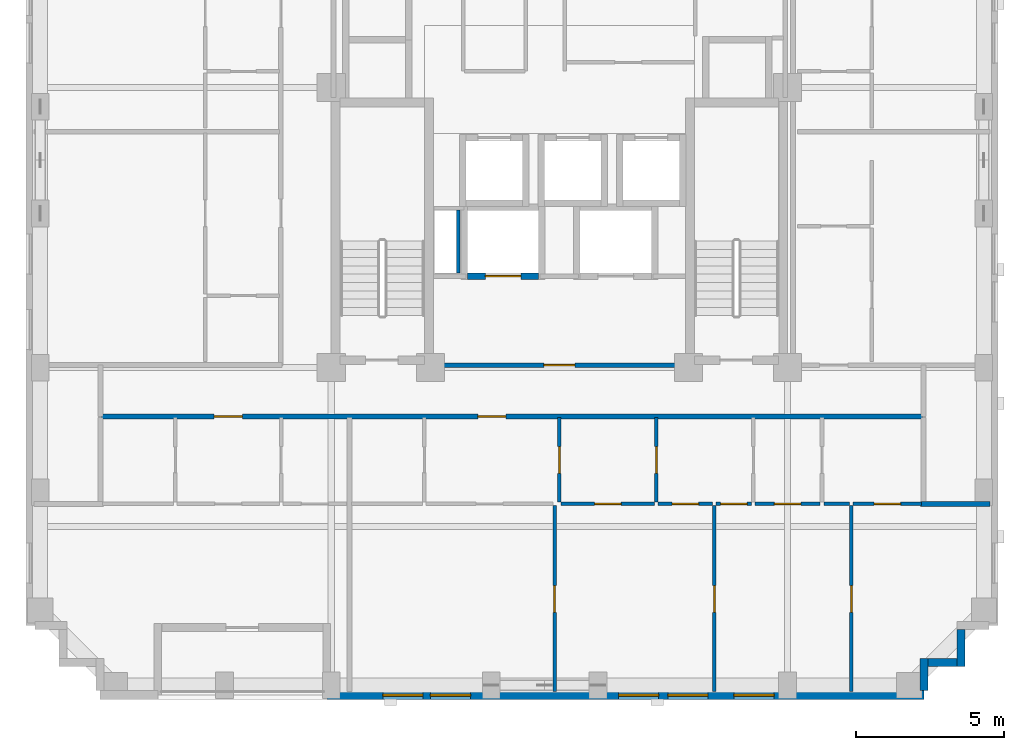
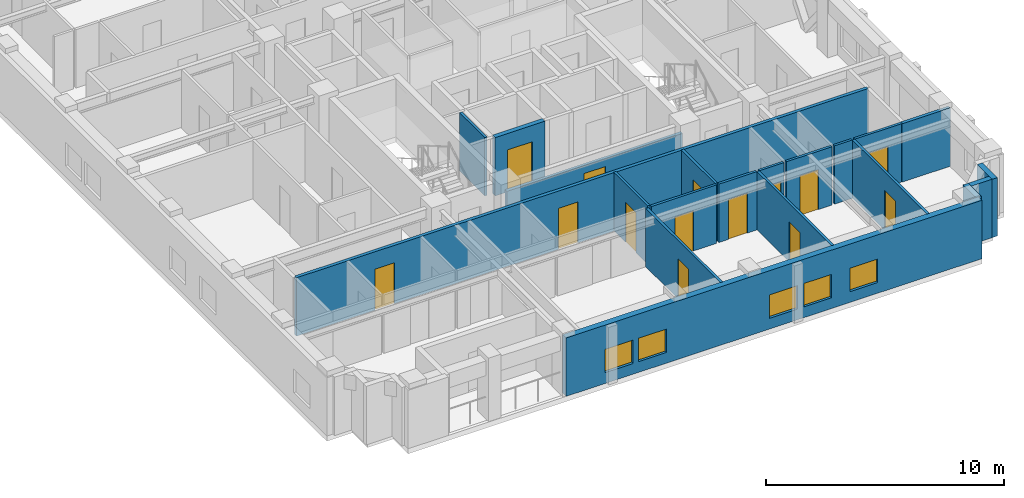
# One storey, part 3 of 11: 20 walls, 14 doors, 5 windows, 19 openings.
"""IFC4 building model written with IfcOpenShell, lengths in metres."""

from ifc_helpers import new_model, si_unit, derived_unit, direction, frame, frame_2d, origin, place, context, subcontext, project, spatial, rectangle, extrude, material, layer, layer_set, type_object, element, fill, save


model = new_model("IFC4")

# Units and contexts
model_context = context("Model", 3, precision=1e-05, world=origin(), true_north=direction((0.0, 1.0)))
body_context = subcontext(model_context, "Body", "Model", "MODEL_VIEW")
ifc_project = project(units=[si_unit("LENGTHUNIT", "METRE"), si_unit("AREAUNIT", "SQUARE_METRE"), si_unit("VOLUMEUNIT", "CUBIC_METRE"), si_unit("PLANEANGLEUNIT", "RADIAN"), si_unit("MASSUNIT", "GRAM", prefix="KILO"), derived_unit("THERMALTRANSMITTANCEUNIT", [(si_unit("MASSUNIT", "GRAM", prefix="KILO"), 1), (si_unit("TIMEUNIT", "SECOND"), -3), (si_unit("THERMODYNAMICTEMPERATUREUNIT", "KELVIN"), -1)])], contexts=[model_context])

# Site, building, storey
site_placement = place(None, origin())
site = spatial("IfcSite", under=ifc_project, at=site_placement, CompositionType="ELEMENT")
building_placement = place(site_placement, origin())
building = spatial("IfcBuilding", under=site, at=building_placement, Name="Korrvale Station Residences", CompositionType="ELEMENT")
storey_placement = place(building_placement, frame((0.0, 0.0, 163.39990234375)))
storey = spatial("IfcBuildingStorey", under=building, at=storey_placement, Name="L47", CompositionType="ELEMENT", Elevation=163.39990234375)

# Walls
ifc_material_1 = material(Name="Precast concrete C45/55", Category="concrete")
ifc_layer_1 = layer(ifc_material_1, 0.260009765625, Name="Precast concrete C45/55")
ifc_layer_set_1 = layer_set([ifc_layer_1], Name="Precast concrete C45/55")
wall_type_1 = type_object("IfcWallType", Name="WAL-EXT-LOG260", PredefinedType="SOLIDWALL", material=ifc_layer_set_1)
wall_1_placement = place(storey_placement, frame((39.050048828125, 6.16796875, 0.0), z_axis=(0.0, 0.0, 1.0), x_axis=(0.0, -1.0, 0.0)))
element("IfcWall", 1, at=wall_1_placement, inside=storey, type_object=wall_type_1, Name="L47 Serrated Corner Precast Step SE-2", PredefinedType="SOLIDWALL", context=body_context, shape_type="SweptSolid", body=[
    extrude(rectangle(XDim=1.248046875, YDim=0.260009765625, at=frame_2d((0.6240234375, 0.0))), origin(), (0.0, 0.0, 1.0), 2.989990234375),
])
wall_2_placement = place(storey_placement, frame((38.91796875, 5.050048828125, 0.0), z_axis=(0.0, 0.0, 1.0), x_axis=(-1.0, 0.0, 0.0)))
element("IfcWall", 2, at=wall_2_placement, inside=storey, type_object=wall_type_1, Name="L47 Serrated Corner Precast Step SE-3", PredefinedType="SOLIDWALL", context=body_context, shape_type="SweptSolid", body=[
    extrude(rectangle(XDim=0.986083984375, YDim=0.260009765625, at=frame_2d((0.4931640625, 0.0))), origin(), (0.0, 0.0, 1.0), 2.989990234375),
])
wall_3_placement = place(storey_placement, frame((37.800048828125, 5.179931640625, 0.0), z_axis=(0.0, 0.0, 1.0), x_axis=(0.0, -1.0, 0.0)))
element("IfcWall", 3, at=wall_3_placement, inside=storey, type_object=wall_type_1, Name="L47 Serrated Corner Precast Step SE-4", PredefinedType="SOLIDWALL", context=body_context, shape_type="SweptSolid", body=[
    extrude(rectangle(XDim=1.077880859375, YDim=0.260009765625, at=frame_2d((0.5390625, 0.0))), origin(), (0.0, 0.0, 1.0), 2.989990234375),
])

# Wall, openings, windows
ifc_layer_2 = layer(ifc_material_1, 0.300048828125, Name="Precast concrete C45/55")
ifc_layer_set_2 = layer_set([ifc_layer_2], Name="Precast concrete C45/55")
wall_type_2 = type_object("IfcWallType", Name="WAL-EXT-PC300", PredefinedType="SOLIDWALL", material=ifc_layer_set_2)
wall_4_placement = place(storey_placement, frame((37.800048828125, 3.949951171875, 0.0), z_axis=(0.0, 0.0, 1.0), x_axis=(-1.0, 0.0, 0.0)))
wall_4 = element("IfcWall", 4, at=wall_4_placement, inside=storey, type_object=wall_type_2, Name="L47 South Exterior Precast Wall 1", PredefinedType="SOLIDWALL", context=body_context, shape_type="SweptSolid", body=[
    extrude(rectangle(XDim=20.150146484375, YDim=0.300048828125, at=frame_2d((10.0751953125, 0.0))), origin(), (0.0, 0.0, 1.0), 2.989990234375),
])
opening_1_placement = place(wall_4_placement, frame((15.300048828125, 0.0, 0.550048828125)))
opening_1 = element("IfcOpeningElement", 5, at=opening_1_placement, cuts=wall_4, Name="Opening W-10", PredefinedType="OPENING", context=body_context, shape_type="SweptSolid", body=[
    extrude(rectangle(XDim=1.35009765625, YDim=1.199951171875, at=frame_2d((0.675048828125, 0.60009765625))), frame((0.0, 0.16015625, 0.0), z_axis=(0.0, -1.0, 0.0), x_axis=(1.0, 0.0, 0.0)), (0.0, 0.0, 1.0), 0.320068359375),
])
opening_2_placement = place(wall_4_placement, frame((16.909912109375, 0.0, 0.550048828125)))
opening_2 = element("IfcOpeningElement", 6, at=opening_2_placement, cuts=wall_4, Name="Opening W-10", PredefinedType="OPENING", context=body_context, shape_type="SweptSolid", body=[
    extrude(rectangle(XDim=1.35009765625, YDim=1.199951171875, at=frame_2d((0.675048828125, 0.60009765625))), frame((0.0, 0.16015625, 0.0), z_axis=(0.0, -1.0, 0.0), x_axis=(1.0, 0.0, 0.0)), (0.0, 0.0, 1.0), 0.320068359375),
])
opening_3_placement = place(wall_4_placement, frame((8.949951171875, 0.0, 0.550048828125)))
opening_3 = element("IfcOpeningElement", 7, at=opening_3_placement, cuts=wall_4, Name="Opening W-10", PredefinedType="OPENING", context=body_context, shape_type="SweptSolid", body=[
    extrude(rectangle(XDim=1.35009765625, YDim=1.199951171875, at=frame_2d((0.675048828125, 0.60009765625))), frame((0.0, 0.16015625, 0.0), z_axis=(0.0, -1.0, 0.0), x_axis=(1.0, 0.0, 0.0)), (0.0, 0.0, 1.0), 0.320068359375),
])
opening_4_placement = place(wall_4_placement, frame((7.2900390625, 0.0, 0.550048828125)))
opening_4 = element("IfcOpeningElement", 8, at=opening_4_placement, cuts=wall_4, Name="Opening W-10", PredefinedType="OPENING", context=body_context, shape_type="SweptSolid", body=[
    extrude(rectangle(XDim=1.35009765625, YDim=1.199951171875, at=frame_2d((0.675048828125, 0.60009765625))), frame((0.0, 0.16015625, 0.0), z_axis=(0.0, -1.0, 0.0), x_axis=(1.0, 0.0, 0.0)), (0.0, 0.0, 1.0), 0.320068359375),
])
opening_5_placement = place(wall_4_placement, frame((5.06005859375, 0.0, 0.550048828125)))
opening_5 = element("IfcOpeningElement", 9, at=opening_5_placement, cuts=wall_4, Name="Opening W-10", PredefinedType="OPENING", context=body_context, shape_type="SweptSolid", body=[
    extrude(rectangle(XDim=1.35009765625, YDim=1.199951171875, at=frame_2d((0.675048828125, 0.60009765625))), frame((0.0, 0.16015625, 0.0), z_axis=(0.0, -1.0, 0.0), x_axis=(1.0, 0.0, 0.0)), (0.0, 0.0, 1.0), 0.320068359375),
])
ifc_material_2 = material(Name="Thermally broken aluminium frame with triple low-e glazing", Category="aluminium")
window_type = type_object("IfcWindowType", Name="WIN-W10", PartitioningType="SINGLE_PANEL", PredefinedType="WINDOW", material=ifc_material_2)
window_1_placement = place(opening_1_placement, origin())
window_1 = element("IfcWindow", 10, at=window_1_placement, inside=storey, type_object=window_type, Name="L47 Punched Window 02", OverallHeight=1.199951171875, OverallWidth=1.35009765625, PartitioningType="SINGLE_PANEL", PredefinedType="WINDOW", context=body_context, shape_type="SweptSolid", body=[
    extrude(rectangle(XDim=1.35009765625, YDim=1.199951171875, at=frame_2d((0.675048828125, 0.60009765625))), frame((0.0, 0.030029296875, 0.0), z_axis=(0.0, -1.0, 0.0), x_axis=(1.0, 0.0, 0.0)), (0.0, 0.0, 1.0), 0.06005859375),
])
fill(opening_1, window_1)
window_2_placement = place(opening_2_placement, origin())
window_2 = element("IfcWindow", 11, at=window_2_placement, inside=storey, type_object=window_type, Name="L47 Punched Window 03", OverallHeight=1.199951171875, OverallWidth=1.35009765625, PartitioningType="SINGLE_PANEL", PredefinedType="WINDOW", context=body_context, shape_type="SweptSolid", body=[
    extrude(rectangle(XDim=1.35009765625, YDim=1.199951171875, at=frame_2d((0.675048828125, 0.60009765625))), frame((0.0, 0.030029296875, 0.0), z_axis=(0.0, -1.0, 0.0), x_axis=(1.0, 0.0, 0.0)), (0.0, 0.0, 1.0), 0.06005859375),
])
fill(opening_2, window_2)
window_3_placement = place(opening_3_placement, origin())
window_3 = element("IfcWindow", 12, at=window_3_placement, inside=storey, type_object=window_type, Name="L47 Punched Window 04", OverallHeight=1.199951171875, OverallWidth=1.35009765625, PartitioningType="SINGLE_PANEL", PredefinedType="WINDOW", context=body_context, shape_type="SweptSolid", body=[
    extrude(rectangle(XDim=1.35009765625, YDim=1.199951171875, at=frame_2d((0.675048828125, 0.60009765625))), frame((0.0, 0.030029296875, 0.0), z_axis=(0.0, -1.0, 0.0), x_axis=(1.0, 0.0, 0.0)), (0.0, 0.0, 1.0), 0.06005859375),
])
fill(opening_3, window_3)
window_4_placement = place(opening_4_placement, origin())
window_4 = element("IfcWindow", 13, at=window_4_placement, inside=storey, type_object=window_type, Name="L47 Punched Window 05", OverallHeight=1.199951171875, OverallWidth=1.35009765625, PartitioningType="SINGLE_PANEL", PredefinedType="WINDOW", context=body_context, shape_type="SweptSolid", body=[
    extrude(rectangle(XDim=1.35009765625, YDim=1.199951171875, at=frame_2d((0.675048828125, 0.60009765625))), frame((0.0, 0.030029296875, 0.0), z_axis=(0.0, -1.0, 0.0), x_axis=(1.0, 0.0, 0.0)), (0.0, 0.0, 1.0), 0.06005859375),
])
fill(opening_4, window_4)
window_5_placement = place(opening_5_placement, origin())
window_5 = element("IfcWindow", 14, at=window_5_placement, inside=storey, type_object=window_type, Name="L47 Punched Window 06", OverallHeight=1.199951171875, OverallWidth=1.35009765625, PartitioningType="SINGLE_PANEL", PredefinedType="WINDOW", context=body_context, shape_type="SweptSolid", body=[
    extrude(rectangle(XDim=1.35009765625, YDim=1.199951171875, at=frame_2d((0.675048828125, 0.60009765625))), frame((0.0, 0.030029296875, 0.0), z_axis=(0.0, -1.0, 0.0), x_axis=(1.0, 0.0, 0.0)), (0.0, 0.0, 1.0), 0.06005859375),
])
fill(opening_5, window_5)

# Wall
ifc_material_3 = material(Name="Acoustic steel-stud gypsum board partition", Category="steel")
ifc_layer_3 = layer(ifc_material_3, 0.1201171875, Name="Acoustic steel-stud gypsum board partition")
ifc_layer_set_3 = layer_set([ifc_layer_3], Name="Acoustic steel-stud gypsum board partition")
wall_type_3 = type_object("IfcWallType", Name="WAL-PART-125", PredefinedType="PARTITIONING", material=ifc_layer_set_3)
wall_5_placement = place(storey_placement, frame((22.080078125, 18.199951171875, 0.0), z_axis=(0.0, 0.0, 1.0), x_axis=(0.0, 1.0, 0.0)))
element("IfcWall", 15, at=wall_5_placement, inside=storey, type_object=wall_type_3, Name="L47 Core Partition CW-RSWT", PredefinedType="PARTITIONING", context=body_context, shape_type="SweptSolid", body=[
    extrude(rectangle(XDim=2.1201171875, YDim=0.1201171875, at=frame_2d((1.06005859375, 0.0))), origin(), (0.0, 0.0, 1.0), 2.989990234375),
])

# Wall, opening, door
wall_6_placement = place(storey_placement, frame((25.5, 10.4599609375, 0.0), z_axis=(0.0, 0.0, 1.0), x_axis=(0.0, 1.0, 0.0)))
wall_6 = element("IfcWall", 16, at=wall_6_placement, inside=storey, type_object=wall_type_3, Name="L47 Suite Partition U02-V12", PredefinedType="PARTITIONING", context=body_context, shape_type="SweptSolid", body=[
    extrude(rectangle(XDim=2.85009765625, YDim=0.1201171875, at=frame_2d((1.425048828125, 0.0))), origin(), (0.0, 0.0, 1.0), 2.989990234375),
])
opening_6_placement = place(wall_6_placement, frame((0.97509765625, 0.0, 0.0)))
opening_6 = element("IfcOpeningElement", 17, at=opening_6_placement, cuts=wall_6, Name="Opening DI-900", PredefinedType="OPENING", context=body_context, shape_type="SweptSolid", body=[
    extrude(rectangle(XDim=0.89990234375, YDim=2.050048828125, at=frame_2d((0.449951171875, 1.02490234375))), frame((0.0, 0.070068359375, 0.0), z_axis=(0.0, -1.0, 0.0), x_axis=(1.0, 0.0, 0.0)), (0.0, 0.0, 1.0), 0.14013671875),
])
ifc_material_4 = material(Name="Painted solid-core timber interior room door", Category="wood")
door_type_1 = type_object("IfcDoorType", Name="DR-INT-900", OperationType="NOTDEFINED", PredefinedType="DOOR", material=ifc_material_4)
door_1_placement = place(opening_6_placement, origin())
door_1 = element("IfcDoor", 18, at=door_1_placement, inside=storey, type_object=door_type_1, Name="L47 Apartment 2BR L47-U02 Kitchen Door", OperationType="SINGLE_SWING_LEFT", OverallHeight=2.050048828125, OverallWidth=0.89990234375, PredefinedType="DOOR", context=body_context, shape_type="SweptSolid", body=[
    extrude(rectangle(XDim=0.89990234375, YDim=2.050048828125, at=frame_2d((0.449951171875, 1.02490234375))), frame((0.0, 0.02490234375, 0.0), z_axis=(0.0, -1.0, 0.0), x_axis=(1.0, 0.0, 0.0)), (0.0, 0.0, 1.0), 0.050048828125),
])
fill(opening_6, door_1)

wall_7_placement = place(storey_placement, frame((28.77001953125, 10.4599609375, 0.0), z_axis=(0.0, 0.0, 1.0), x_axis=(0.0, 1.0, 0.0)))
wall_7 = element("IfcWall", 19, at=wall_7_placement, inside=storey, type_object=wall_type_3, Name="L47 Suite Partition U02-V23", PredefinedType="PARTITIONING", context=body_context, shape_type="SweptSolid", body=[
    extrude(rectangle(XDim=2.85009765625, YDim=0.1201171875, at=frame_2d((1.425048828125, 0.0))), origin(), (0.0, 0.0, 1.0), 2.989990234375),
])
opening_7_placement = place(wall_7_placement, frame((0.97509765625, 0.0, 0.0)))
opening_7 = element("IfcOpeningElement", 20, at=opening_7_placement, cuts=wall_7, Name="Opening DI-900", PredefinedType="OPENING", context=body_context, shape_type="SweptSolid", body=[
    extrude(rectangle(XDim=0.89990234375, YDim=2.050048828125, at=frame_2d((0.449951171875, 1.02490234375))), frame((0.0, 0.070068359375, 0.0), z_axis=(0.0, -1.0, 0.0), x_axis=(1.0, 0.0, 0.0)), (0.0, 0.0, 1.0), 0.14013671875),
])
door_2_placement = place(opening_7_placement, origin())
door_2 = element("IfcDoor", 21, at=door_2_placement, inside=storey, type_object=door_type_1, Name="L47 Apartment 2BR L47-U02 Home Study Room Door", OperationType="SINGLE_SWING_LEFT", OverallHeight=2.050048828125, OverallWidth=0.89990234375, PredefinedType="DOOR", context=body_context, shape_type="SweptSolid", body=[
    extrude(rectangle(XDim=0.89990234375, YDim=2.050048828125, at=frame_2d((0.449951171875, 1.02490234375))), frame((0.0, 0.02490234375, 0.0), z_axis=(0.0, -1.0, 0.0), x_axis=(1.0, 0.0, 0.0)), (0.0, 0.0, 1.0), 0.050048828125),
])
fill(opening_7, door_2)

wall_8_placement = place(storey_placement, frame((25.56005859375, 10.39990234375, 0.0), z_axis=(0.0, 0.0, 1.0), x_axis=(1.0, 0.0, 0.0)))
wall_8 = element("IfcWall", 22, at=wall_8_placement, inside=storey, type_object=wall_type_3, Name="L47 Suite Partition U02-H27", PredefinedType="PARTITIONING", context=body_context, shape_type="SweptSolid", body=[
    extrude(rectangle(XDim=3.14990234375, YDim=0.1201171875, at=frame_2d((1.574951171875, 0.0))), origin(), (0.0, 0.0, 1.0), 2.989990234375),
])
opening_8_placement = place(wall_8_placement, frame((1.125, 0.0, 0.0)))
opening_8 = element("IfcOpeningElement", 23, at=opening_8_placement, cuts=wall_8, Name="Opening DI-900", PredefinedType="OPENING", context=body_context, shape_type="SweptSolid", body=[
    extrude(rectangle(XDim=0.89990234375, YDim=2.050048828125, at=frame_2d((0.449951171875, 1.02490234375))), frame((0.0, 0.070068359375, 0.0), z_axis=(0.0, -1.0, 0.0), x_axis=(1.0, 0.0, 0.0)), (0.0, 0.0, 1.0), 0.14013671875),
])
door_3_placement = place(opening_8_placement, origin())
door_3 = element("IfcDoor", 24, at=door_3_placement, inside=storey, type_object=door_type_1, Name="L47 Apartment 2BR L47-U02 Home Study Room Door", OperationType="SINGLE_SWING_RIGHT", OverallHeight=2.050048828125, OverallWidth=0.89990234375, PredefinedType="DOOR", context=body_context, shape_type="SweptSolid", body=[
    extrude(rectangle(XDim=0.89990234375, YDim=2.050048828125, at=frame_2d((0.449951171875, 1.02490234375))), frame((0.0, 0.02490234375, 0.0), z_axis=(0.0, -1.0, 0.0), x_axis=(1.0, 0.0, 0.0)), (0.0, 0.0, 1.0), 0.050048828125),
])
fill(opening_8, door_3)

wall_9_placement = place(storey_placement, frame((28.830078125, 10.39990234375, 0.0), z_axis=(0.0, 0.0, 1.0), x_axis=(1.0, 0.0, 0.0)))
wall_9 = element("IfcWall", 25, at=wall_9_placement, inside=storey, type_object=wall_type_3, Name="L47 Suite Partition U02-H37", PredefinedType="PARTITIONING", context=body_context, shape_type="SweptSolid", body=[
    extrude(rectangle(XDim=1.83984375, YDim=0.1201171875, at=frame_2d((0.919921875, 0.0))), origin(), (0.0, 0.0, 1.0), 2.989990234375),
])
opening_9_placement = place(wall_9_placement, frame((0.469970703125, 0.0, 0.0)))
opening_9 = element("IfcOpeningElement", 26, at=opening_9_placement, cuts=wall_9, Name="Opening DI-900", PredefinedType="OPENING", context=body_context, shape_type="SweptSolid", body=[
    extrude(rectangle(XDim=0.89990234375, YDim=2.050048828125, at=frame_2d((0.449951171875, 1.02490234375))), frame((0.0, 0.070068359375, 0.0), z_axis=(0.0, -1.0, 0.0), x_axis=(1.0, 0.0, 0.0)), (0.0, 0.0, 1.0), 0.14013671875),
])
door_4_placement = place(opening_9_placement, origin())
door_4 = element("IfcDoor", 27, at=door_4_placement, inside=storey, type_object=door_type_1, Name="L47 Apartment 2BR L47-U02 Home Study Room Door", OperationType="SINGLE_SWING_RIGHT", OverallHeight=2.050048828125, OverallWidth=0.89990234375, PredefinedType="DOOR", context=body_context, shape_type="SweptSolid", body=[
    extrude(rectangle(XDim=0.89990234375, YDim=2.050048828125, at=frame_2d((0.449951171875, 1.02490234375))), frame((0.0, 0.02490234375, 0.0), z_axis=(0.0, -1.0, 0.0), x_axis=(1.0, 0.0, 0.0)), (0.0, 0.0, 1.0), 0.050048828125),
])
fill(opening_9, door_4)

wall_10_placement = place(storey_placement, frame((30.7900390625, 10.39990234375, 0.0), z_axis=(0.0, 0.0, 1.0), x_axis=(1.0, 0.0, 0.0)))
wall_10 = element("IfcWall", 28, at=wall_10_placement, inside=storey, type_object=wall_type_3, Name="L47 Suite Partition U02-H38", PredefinedType="PARTITIONING", context=body_context, shape_type="SweptSolid", body=[
    extrude(rectangle(XDim=1.18994140625, YDim=0.1201171875, at=frame_2d((0.594970703125, 0.0))), origin(), (0.0, 0.0, 1.0), 2.989990234375),
])
opening_10_placement = place(wall_10_placement, frame((0.14501953125, 0.0, 0.0)))
opening_10 = element("IfcOpeningElement", 29, at=opening_10_placement, cuts=wall_10, Name="Opening DI-900", PredefinedType="OPENING", context=body_context, shape_type="SweptSolid", body=[
    extrude(rectangle(XDim=0.89990234375, YDim=2.050048828125, at=frame_2d((0.449951171875, 1.02490234375))), frame((0.0, 0.070068359375, 0.0), z_axis=(0.0, -1.0, 0.0), x_axis=(1.0, 0.0, 0.0)), (0.0, 0.0, 1.0), 0.14013671875),
])
door_5_placement = place(opening_10_placement, origin())
door_5 = element("IfcDoor", 30, at=door_5_placement, inside=storey, type_object=door_type_1, Name="L47 Apartment 2BR L47-U02 Home Study Room Door", OperationType="SINGLE_SWING_LEFT", OverallHeight=2.050048828125, OverallWidth=0.89990234375, PredefinedType="DOOR", context=body_context, shape_type="SweptSolid", body=[
    extrude(rectangle(XDim=0.89990234375, YDim=2.050048828125, at=frame_2d((0.449951171875, 1.02490234375))), frame((0.0, 0.02490234375, 0.0), z_axis=(0.0, -1.0, 0.0), x_axis=(1.0, 0.0, 0.0)), (0.0, 0.0, 1.0), 0.050048828125),
])
fill(opening_10, door_5)

wall_11_placement = place(storey_placement, frame((32.10009765625, 10.39990234375, 0.0), z_axis=(0.0, 0.0, 1.0), x_axis=(1.0, 0.0, 0.0)))
wall_11 = element("IfcWall", 31, at=wall_11_placement, inside=storey, type_object=wall_type_3, Name="L47 Suite Partition U02-H48", PredefinedType="PARTITIONING", context=body_context, shape_type="SweptSolid", body=[
    extrude(rectangle(XDim=2.199951171875, YDim=0.1201171875, at=frame_2d((1.10009765625, 0.0))), origin(), (0.0, 0.0, 1.0), 2.989990234375),
])
opening_11_placement = place(wall_11_placement, frame((0.64990234375, 0.0, 0.0)))
opening_11 = element("IfcOpeningElement", 32, at=opening_11_placement, cuts=wall_11, Name="Opening DI-900", PredefinedType="OPENING", context=body_context, shape_type="SweptSolid", body=[
    extrude(rectangle(XDim=0.89990234375, YDim=2.050048828125, at=frame_2d((0.449951171875, 1.02490234375))), frame((0.0, 0.070068359375, 0.0), z_axis=(0.0, -1.0, 0.0), x_axis=(1.0, 0.0, 0.0)), (0.0, 0.0, 1.0), 0.14013671875),
])
door_6_placement = place(opening_11_placement, origin())
door_6 = element("IfcDoor", 33, at=door_6_placement, inside=storey, type_object=door_type_1, Name="L47 Apartment 2BR L47-U02 Wardrobe Storage Room Door", OperationType="SINGLE_SWING_LEFT", OverallHeight=2.050048828125, OverallWidth=0.89990234375, PredefinedType="DOOR", context=body_context, shape_type="SweptSolid", body=[
    extrude(rectangle(XDim=0.89990234375, YDim=2.050048828125, at=frame_2d((0.449951171875, 1.02490234375))), frame((0.0, 0.02490234375, 0.0), z_axis=(0.0, -1.0, 0.0), x_axis=(1.0, 0.0, 0.0)), (0.0, 0.0, 1.0), 0.050048828125),
])
fill(opening_11, door_6)

# Wall
wall_12_placement = place(storey_placement, frame((34.419921875, 10.39990234375, 0.0), z_axis=(0.0, 0.0, 1.0), x_axis=(1.0, 0.0, 0.0)))
element("IfcWall", 34, at=wall_12_placement, inside=storey, type_object=wall_type_3, Name="L47 Suite Partition U02-H58", PredefinedType="PARTITIONING", context=body_context, shape_type="SweptSolid", body=[
    extrude(rectangle(XDim=0.8701171875, YDim=0.1201171875, at=frame_2d((0.43505859375, 0.0))), origin(), (0.0, 0.0, 1.0), 2.989990234375),
])

# Wall, opening, door
wall_13_placement = place(storey_placement, frame((35.409912109375, 10.39990234375, 0.0), z_axis=(0.0, 0.0, 1.0), x_axis=(1.0, 0.0, 0.0)))
wall_13 = element("IfcWall", 35, at=wall_13_placement, inside=storey, type_object=wall_type_3, Name="L47 Suite Partition U02-H59", PredefinedType="PARTITIONING", context=body_context, shape_type="SweptSolid", body=[
    extrude(rectangle(XDim=2.31005859375, YDim=0.1201171875, at=frame_2d((1.155029296875, 0.0))), origin(), (0.0, 0.0, 1.0), 2.989990234375),
])
opening_12_placement = place(wall_13_placement, frame((0.705078125, 0.0, 0.0)))
opening_12 = element("IfcOpeningElement", 36, at=opening_12_placement, cuts=wall_13, Name="Opening DI-900", PredefinedType="OPENING", context=body_context, shape_type="SweptSolid", body=[
    extrude(rectangle(XDim=0.89990234375, YDim=2.050048828125, at=frame_2d((0.449951171875, 1.02490234375))), frame((0.0, 0.070068359375, 0.0), z_axis=(0.0, -1.0, 0.0), x_axis=(1.0, 0.0, 0.0)), (0.0, 0.0, 1.0), 0.14013671875),
])
door_7_placement = place(opening_12_placement, origin())
door_7 = element("IfcDoor", 37, at=door_7_placement, inside=storey, type_object=door_type_1, Name="L47 Apartment 2BR L47-U02 Wardrobe Storage Room Door", OperationType="SINGLE_SWING_RIGHT", OverallHeight=2.050048828125, OverallWidth=0.89990234375, PredefinedType="DOOR", context=body_context, shape_type="SweptSolid", body=[
    extrude(rectangle(XDim=0.89990234375, YDim=2.050048828125, at=frame_2d((0.449951171875, 1.02490234375))), frame((0.0, 0.02490234375, 0.0), z_axis=(0.0, -1.0, 0.0), x_axis=(1.0, 0.0, 0.0)), (0.0, 0.0, 1.0), 0.050048828125),
])
fill(opening_12, door_7)

wall_14_placement = place(storey_placement, frame((25.340087890625, 4.080078125, 0.0), z_axis=(0.0, 0.0, 1.0), x_axis=(0.0, 1.0, 0.0)))
wall_14 = element("IfcWall", 38, at=wall_14_placement, inside=storey, type_object=wall_type_3, Name="L47 Suite Partition U02-V67", PredefinedType="PARTITIONING", context=body_context, shape_type="SweptSolid", body=[
    extrude(rectangle(XDim=6.260009765625, YDim=0.1201171875, at=frame_2d((3.1298828125, 0.0))), origin(), (0.0, 0.0, 1.0), 2.989990234375),
])
opening_13_placement = place(wall_14_placement, frame((2.6650390625, 0.0, 0.0)))
opening_13 = element("IfcOpeningElement", 39, at=opening_13_placement, cuts=wall_14, Name="Opening DI-900", PredefinedType="OPENING", context=body_context, shape_type="SweptSolid", body=[
    extrude(rectangle(XDim=0.89990234375, YDim=2.050048828125, at=frame_2d((0.449951171875, 1.02490234375))), frame((0.0, 0.070068359375, 0.0), z_axis=(0.0, -1.0, 0.0), x_axis=(1.0, 0.0, 0.0)), (0.0, 0.0, 1.0), 0.14013671875),
])
door_8_placement = place(opening_13_placement, origin())
door_8 = element("IfcDoor", 40, at=door_8_placement, inside=storey, type_object=door_type_1, Name="L47 Apartment 2BR L47-U02 Living and Dining Room Door", OperationType="SINGLE_SWING_LEFT", OverallHeight=2.050048828125, OverallWidth=0.89990234375, PredefinedType="DOOR", context=body_context, shape_type="SweptSolid", body=[
    extrude(rectangle(XDim=0.89990234375, YDim=2.050048828125, at=frame_2d((0.449951171875, 1.02490234375))), frame((0.0, 0.02490234375, 0.0), z_axis=(0.0, -1.0, 0.0), x_axis=(1.0, 0.0, 0.0)), (0.0, 0.0, 1.0), 0.050048828125),
])
fill(opening_13, door_8)

wall_15_placement = place(storey_placement, frame((30.72998046875, 4.080078125, 0.0), z_axis=(0.0, 0.0, 1.0), x_axis=(0.0, 1.0, 0.0)))
wall_15 = element("IfcWall", 41, at=wall_15_placement, inside=storey, type_object=wall_type_3, Name="L47 Suite Partition U02-V78", PredefinedType="PARTITIONING", context=body_context, shape_type="SweptSolid", body=[
    extrude(rectangle(XDim=6.260009765625, YDim=0.1201171875, at=frame_2d((3.1298828125, 0.0))), origin(), (0.0, 0.0, 1.0), 2.989990234375),
])
opening_14_placement = place(wall_15_placement, frame((2.6650390625, 0.0, 0.0)))
opening_14 = element("IfcOpeningElement", 42, at=opening_14_placement, cuts=wall_15, Name="Opening DI-900", PredefinedType="OPENING", context=body_context, shape_type="SweptSolid", body=[
    extrude(rectangle(XDim=0.89990234375, YDim=2.050048828125, at=frame_2d((0.449951171875, 1.02490234375))), frame((0.0, 0.070068359375, 0.0), z_axis=(0.0, -1.0, 0.0), x_axis=(1.0, 0.0, 0.0)), (0.0, 0.0, 1.0), 0.14013671875),
])
door_9_placement = place(opening_14_placement, origin())
door_9 = element("IfcDoor", 43, at=door_9_placement, inside=storey, type_object=door_type_1, Name="L47 Apartment 2BR L47-U02 Formal Dining Room Door", OperationType="SINGLE_SWING_RIGHT", OverallHeight=2.050048828125, OverallWidth=0.89990234375, PredefinedType="DOOR", context=body_context, shape_type="SweptSolid", body=[
    extrude(rectangle(XDim=0.89990234375, YDim=2.050048828125, at=frame_2d((0.449951171875, 1.02490234375))), frame((0.0, 0.02490234375, 0.0), z_axis=(0.0, -1.0, 0.0), x_axis=(1.0, 0.0, 0.0)), (0.0, 0.0, 1.0), 0.050048828125),
])
fill(opening_14, door_9)

wall_16_placement = place(storey_placement, frame((35.35009765625, 4.080078125, 0.0), z_axis=(0.0, 0.0, 1.0), x_axis=(0.0, 1.0, 0.0)))
wall_16 = element("IfcWall", 44, at=wall_16_placement, inside=storey, type_object=wall_type_3, Name="L47 Suite Partition U02-V89", PredefinedType="PARTITIONING", context=body_context, shape_type="SweptSolid", body=[
    extrude(rectangle(XDim=6.260009765625, YDim=0.1201171875, at=frame_2d((3.1298828125, 0.0))), origin(), (0.0, 0.0, 1.0), 2.989990234375),
])
opening_15_placement = place(wall_16_placement, frame((2.6650390625, 0.0, 0.0)))
opening_15 = element("IfcOpeningElement", 45, at=opening_15_placement, cuts=wall_16, Name="Opening DI-900", PredefinedType="OPENING", context=body_context, shape_type="SweptSolid", body=[
    extrude(rectangle(XDim=0.89990234375, YDim=2.050048828125, at=frame_2d((0.449951171875, 1.02490234375))), frame((0.0, 0.070068359375, 0.0), z_axis=(0.0, -1.0, 0.0), x_axis=(1.0, 0.0, 0.0)), (0.0, 0.0, 1.0), 0.14013671875),
])
door_10_placement = place(opening_15_placement, origin())
door_10 = element("IfcDoor", 46, at=door_10_placement, inside=storey, type_object=door_type_1, Name="L47 Apartment 2BR L47-U02 Bedroom 1 Door", OperationType="SINGLE_SWING_LEFT", OverallHeight=2.050048828125, OverallWidth=0.89990234375, PredefinedType="DOOR", context=body_context, shape_type="SweptSolid", body=[
    extrude(rectangle(XDim=0.89990234375, YDim=2.050048828125, at=frame_2d((0.449951171875, 1.02490234375))), frame((0.0, 0.02490234375, 0.0), z_axis=(0.0, -1.0, 0.0), x_axis=(1.0, 0.0, 0.0)), (0.0, 0.0, 1.0), 0.050048828125),
])
fill(opening_15, door_10)

ifc_material_5 = material(Name="Fire-rated twin-stud gypsum and mineral wool shaftwall assembly", Category="gypsum")
ifc_layer_4 = layer(ifc_material_5, 0.159912109375, Name="Fire-rated twin-stud gypsum and mineral wool shaftwall assembly")
ifc_layer_set_4 = layer_set([ifc_layer_4], Name="Fire-rated twin-stud gypsum and mineral wool shaftwall assembly")
wall_type_4 = type_object("IfcWallType", Name="WAL-PART-200", PredefinedType="PARTITIONING", material=ifc_layer_set_4)
wall_17_placement = place(storey_placement, frame((21.25, 15.080078125, 0.0), z_axis=(0.0, 0.0, 1.0), x_axis=(1.0, 0.0, 0.0)))
wall_17 = element("IfcWall", 47, at=wall_17_placement, inside=storey, type_object=wall_type_4, Name="L47 Core Partition CW-FFL-S", PredefinedType="PARTITIONING", context=body_context, shape_type="SweptSolid", body=[
    extrude(rectangle(XDim=8.5, YDim=0.159912109375, at=frame_2d((4.25, 0.0))), origin(), (0.0, 0.0, 1.0), 2.442138671875),
])
opening_16_placement = place(wall_17_placement, frame((3.72509765625, 0.0, 0.0)))
opening_16 = element("IfcOpeningElement", 48, at=opening_16_placement, cuts=wall_17, Name="Opening FD-1050", PredefinedType="OPENING", context=body_context, shape_type="SweptSolid", body=[
    extrude(rectangle(XDim=1.050048828125, YDim=2.050048828125, at=frame_2d((0.52490234375, 1.02490234375))), frame((0.0, 0.08984375, 0.0), z_axis=(0.0, -1.0, 0.0), x_axis=(1.0, 0.0, 0.0)), (0.0, 0.0, 1.0), 0.179931640625),
])
ifc_material_6 = material(Name="Fire-rated mineral-core timber lobby door", Category="wood")
door_type_2 = type_object("IfcDoorType", Name="DR-CORE-1050", OperationType="NOTDEFINED", PredefinedType="DOOR", material=ifc_material_6)
door_11_placement = place(opening_16_placement, origin())
door_11 = element("IfcDoor", 49, at=door_11_placement, inside=storey, type_object=door_type_2, Name="L47 Firefighting Lobby Entry Door", OperationType="SINGLE_SWING_RIGHT", OverallHeight=2.050048828125, OverallWidth=1.050048828125, PredefinedType="DOOR", context=body_context, shape_type="SweptSolid", body=[
    extrude(rectangle(XDim=1.050048828125, YDim=2.050048828125, at=frame_2d((0.52490234375, 1.02490234375))), frame((0.0, 0.02490234375, 0.0), z_axis=(0.0, -1.0, 0.0), x_axis=(1.0, 0.0, 0.0)), (0.0, 0.0, 1.0), 0.050048828125),
])
fill(opening_16, door_11)

# Wall
wall_18_placement = place(storey_placement, frame((37.679931640625, 10.39990234375, 0.0), z_axis=(0.0, 0.0, 1.0), x_axis=(1.0, 0.0, 0.0)))
element("IfcWall", 50, at=wall_18_placement, inside=storey, type_object=wall_type_4, Name="L47 Corner Step Wall U02-R", PredefinedType="PARTITIONING", context=body_context, shape_type="SweptSolid", body=[
    extrude(rectangle(XDim=2.340087890625, YDim=0.159912109375, at=frame_2d((1.169921875, 0.0))), origin(), (0.0, 0.0, 1.0), 2.989990234375),
])

# Wall, openings, doors
wall_19_placement = place(storey_placement, frame((10.050048828125, 13.35009765625, 0.0), z_axis=(0.0, 0.0, 1.0), x_axis=(1.0, 0.0, 0.0)))
wall_19 = element("IfcWall", 51, at=wall_19_placement, inside=storey, type_object=wall_type_4, Name="L47 Rated Corridor Wall S", PredefinedType="PARTITIONING", context=body_context, shape_type="SweptSolid", body=[
    extrude(rectangle(XDim=27.699951171875, YDim=0.159912109375, at=frame_2d((13.85009765625, 0.0))), origin(), (0.0, 0.0, 1.0), 2.989990234375),
])
opening_17_placement = place(wall_19_placement, frame((3.800048828125, 0.0, 0.0)))
opening_17 = element("IfcOpeningElement", 52, at=opening_17_placement, cuts=wall_19, Name="Opening UD-950", PredefinedType="OPENING", context=body_context, shape_type="SweptSolid", body=[
    extrude(rectangle(XDim=0.949951171875, YDim=2.10009765625, at=frame_2d((0.47509765625, 1.050048828125))), frame((0.0, 0.08984375, 0.0), z_axis=(0.0, -1.0, 0.0), x_axis=(1.0, 0.0, 0.0)), (0.0, 0.0, 1.0), 0.179931640625),
])
opening_18_placement = place(wall_19_placement, frame((12.695068359375, 0.0, 0.0)))
opening_18 = element("IfcOpeningElement", 53, at=opening_18_placement, cuts=wall_19, Name="Opening UD-950", PredefinedType="OPENING", context=body_context, shape_type="SweptSolid", body=[
    extrude(rectangle(XDim=0.949951171875, YDim=2.10009765625, at=frame_2d((0.47509765625, 1.050048828125))), frame((0.0, 0.08984375, 0.0), z_axis=(0.0, -1.0, 0.0), x_axis=(1.0, 0.0, 0.0)), (0.0, 0.0, 1.0), 0.179931640625),
])
ifc_material_7 = material(Name="Solid-core acoustic oak apartment entrance door", Category="timber")
door_type_3 = type_object("IfcDoorType", Name="DR-UNIT-950", OperationType="NOTDEFINED", PredefinedType="DOOR", material=ifc_material_7)
door_12_placement = place(opening_17_placement, origin())
door_12 = element("IfcDoor", 54, at=door_12_placement, inside=storey, type_object=door_type_3, Name="L47 Apartment L47-U01 Entrance Door", OperationType="SINGLE_SWING_LEFT", OverallHeight=2.10009765625, OverallWidth=0.949951171875, PredefinedType="DOOR", context=body_context, shape_type="SweptSolid", body=[
    extrude(rectangle(XDim=0.949951171875, YDim=2.10009765625, at=frame_2d((0.47509765625, 1.050048828125))), frame((0.0, 0.02490234375, 0.0), z_axis=(0.0, -1.0, 0.0), x_axis=(1.0, 0.0, 0.0)), (0.0, 0.0, 1.0), 0.050048828125),
])
fill(opening_17, door_12)
door_13_placement = place(opening_18_placement, origin())
door_13 = element("IfcDoor", 55, at=door_13_placement, inside=storey, type_object=door_type_3, Name="L47 Apartment L47-U02 Entrance Door", OperationType="SINGLE_SWING_RIGHT", OverallHeight=2.10009765625, OverallWidth=0.949951171875, PredefinedType="DOOR", context=body_context, shape_type="SweptSolid", body=[
    extrude(rectangle(XDim=0.949951171875, YDim=2.10009765625, at=frame_2d((0.47509765625, 1.050048828125))), frame((0.0, 0.02490234375, 0.0), z_axis=(0.0, -1.0, 0.0), x_axis=(1.0, 0.0, 0.0)), (0.0, 0.0, 1.0), 0.050048828125),
])
fill(opening_18, door_13)

# Wall, opening, door
ifc_material_8 = material(Name="Concrete C60/75", Category="concrete")
ifc_layer_5 = layer(ifc_material_8, 0.219970703125, Name="Concrete C60/75")
ifc_layer_set_5 = layer_set([ifc_layer_5], Name="Concrete C60/75")
wall_type_5 = type_object("IfcWallType", Name="WAL-SHAFT-220-C60", PredefinedType="SHEAR", material=ifc_layer_set_5)
wall_20_placement = place(storey_placement, frame((22.39990234375, 18.090087890625, 0.0), z_axis=(0.0, 0.0, 1.0), x_axis=(1.0, 0.0, 0.0)))
wall_20 = element("IfcWall", 56, at=wall_20_placement, inside=storey, type_object=wall_type_5, Name="L47 Elevator FFL-1 Hoistway Wall South", PredefinedType="SHEAR", context=body_context, shape_type="SweptSolid", body=[
    extrude(rectangle(XDim=2.400146484375, YDim=0.219970703125, at=frame_2d((1.2001953125, 0.0))), origin(), (0.0, 0.0, 1.0), 2.989990234375),
])
opening_19_placement = place(wall_20_placement, frame((0.60009765625, 0.0, 0.0)))
opening_19 = element("IfcOpeningElement", 57, at=opening_19_placement, cuts=wall_20, Name="Opening LD-FF1200", PredefinedType="OPENING", context=body_context, shape_type="SweptSolid", body=[
    extrude(rectangle(XDim=1.199951171875, YDim=2.14990234375, at=frame_2d((0.60009765625, 1.074951171875))), frame((0.0, 0.1201171875, 0.0), z_axis=(0.0, -1.0, 0.0), x_axis=(1.0, 0.0, 0.0)), (0.0, 0.0, 1.0), 0.239990234375),
])
ifc_material_9 = material(Name="Stainless-steel firefighter elevator landing sliding door", Category="steel")
door_type_4 = type_object("IfcDoorType", Name="DR-LIFT-FF1200", OperationType="SLIDING_TO_LEFT", PredefinedType="DOOR", material=ifc_material_9)
door_14_placement = place(opening_19_placement, origin())
door_14 = element("IfcDoor", 58, at=door_14_placement, inside=storey, type_object=door_type_4, Name="L47 Elevator FFL-1 Sliding Landing Door", OperationType="SLIDING_TO_LEFT", OverallHeight=2.14990234375, OverallWidth=1.199951171875, PredefinedType="DOOR", context=body_context, shape_type="SweptSolid", body=[
    extrude(rectangle(XDim=1.199951171875, YDim=2.14990234375, at=frame_2d((0.60009765625, 1.074951171875))), frame((0.0, 0.02490234375, 0.0), z_axis=(0.0, -1.0, 0.0), x_axis=(1.0, 0.0, 0.0)), (0.0, 0.0, 1.0), 0.050048828125),
])
fill(opening_19, door_14)

save(model, "model.ifc")
